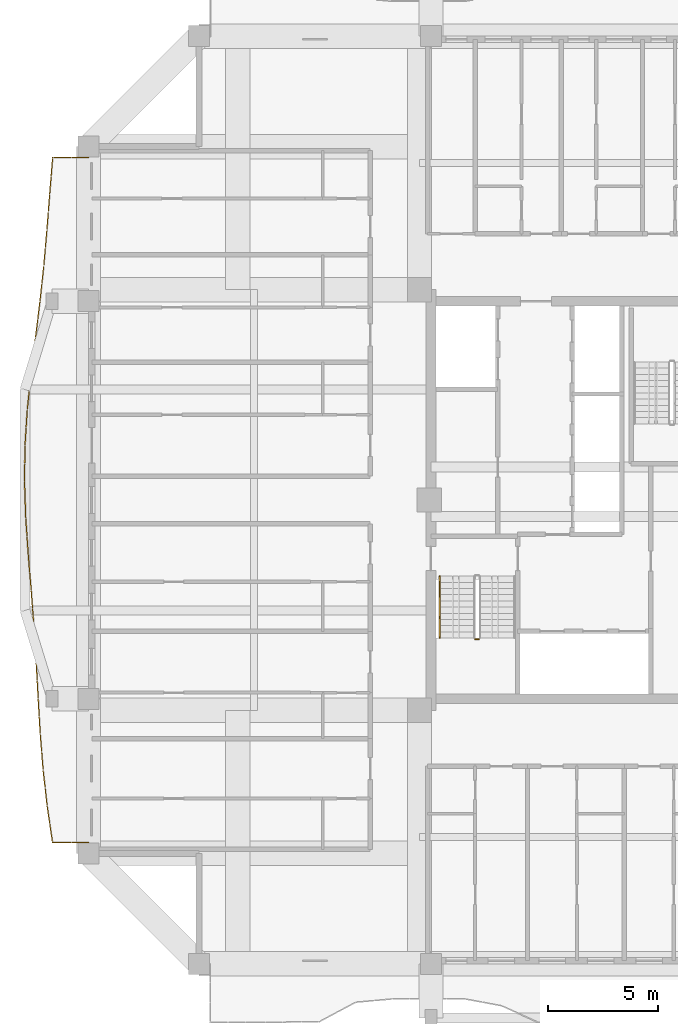
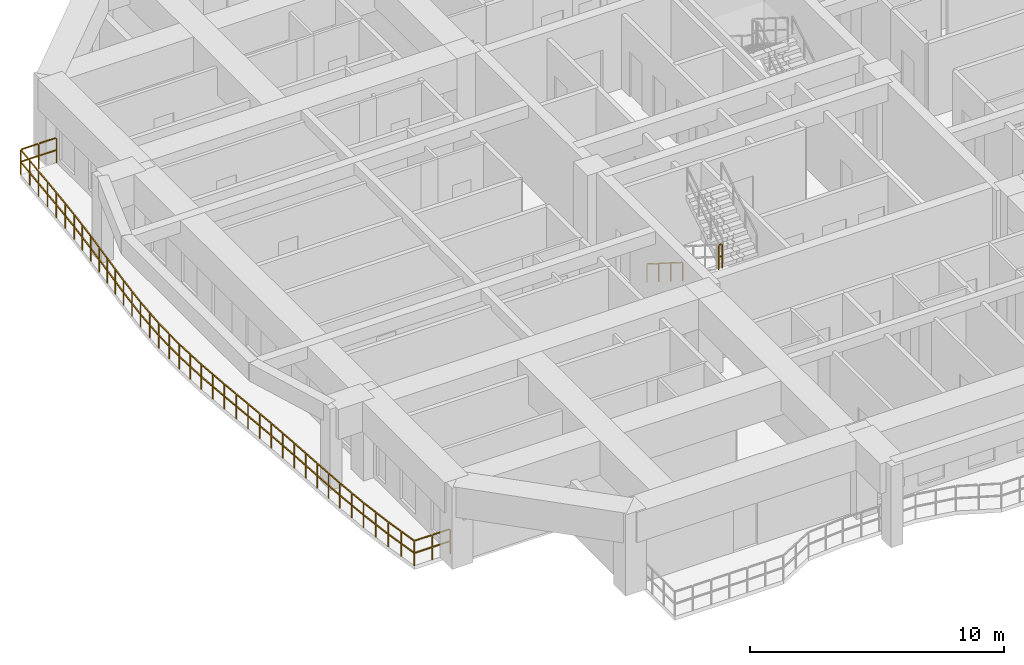
# One storey, part 12 of 15: 3 railings.
"""IFC4 building model written with IfcOpenShell, lengths in metres."""

from ifc_helpers import new_model, si_unit, direction, frame, origin, origin_2d, place, context, subcontext, project, spatial, rectangle, extrude, material, type_object, element, save


model = new_model("IFC4")

# Units and contexts
model_context = context("Model", 3, precision=1e-05, world=origin(), true_north=direction((0.0, 1.0)))
body_context = subcontext(model_context, "Body", "Model", "MODEL_VIEW")
ifc_project = project(units=[si_unit("LENGTHUNIT", "METRE"), si_unit("AREAUNIT", "SQUARE_METRE"), si_unit("VOLUMEUNIT", "CUBIC_METRE"), si_unit("PLANEANGLEUNIT", "RADIAN"), si_unit("MASSUNIT", "GRAM", prefix="KILO")], contexts=[model_context])

# Site, building, storey
site_placement = place(None, origin())
site = spatial("IfcSite", under=ifc_project, at=site_placement, CompositionType="ELEMENT")
building_placement = place(site_placement, origin())
building = spatial("IfcBuilding", under=site, at=building_placement, Name="Saelheon Loggia Tower", CompositionType="ELEMENT")
storey_placement = place(building_placement, frame((0.0, 0.0, 169.0)))
storey = spatial("IfcBuildingStorey", under=building, at=storey_placement, Name="L53", CompositionType="ELEMENT", Elevation=169.0)

# Railings
ifc_material_1 = material(Name="Architectural Precast Concrete and Laminated Glass Guard", Category="concrete")
railing_type_1 = type_object("IfcRailingType", Name="Guard_Loggia_RL_LOG", PredefinedType="BALUSTRADE", material=ifc_material_1)
railing_1_placement = place(storey_placement, frame((16.0, 42.5, 0.0)))
element("IfcRailing", 1, at=railing_1_placement, inside=storey, type_object=railing_type_1, Name="L53 West Loggia Balustrade", PredefinedType="BALUSTRADE", context=body_context, shape_type="SweptSolid", body=[
    extrude(rectangle(XDim=0.048095703125, YDim=0.048095703125, at=origin_2d()), frame((-0.033203125, 0.0, 1.19580078125), z_axis=(-1.0, 0.0, 0.0), x_axis=(0.0, -1.0, 0.0)), (0.0, 0.0, 1.0), 0.747314453125),
    extrude(rectangle(XDim=0.048095703125, YDim=0.048095703125, at=origin_2d()), frame((-0.033203125, 0.0, 0.60986328125), z_axis=(-1.0, 0.0, 0.0), x_axis=(0.0, -1.0, 0.0)), (0.0, 0.0, 1.0), 0.747314453125),
    extrude(rectangle(XDim=0.048095703125, YDim=0.048095703125, at=origin_2d()), frame((-0.84716796875, 0.0, 1.19580078125), z_axis=(-1.0, 0.0, 0.0), x_axis=(0.0, -1.0, 0.0)), (0.0, 0.0, 1.0), 0.747314453125),
    extrude(rectangle(XDim=0.048095703125, YDim=0.048095703125, at=origin_2d()), frame((-0.84716796875, 0.0, 0.60986328125), z_axis=(-1.0, 0.0, 0.0), x_axis=(0.0, -1.0, 0.0)), (0.0, 0.0, 1.0), 0.747314453125),
    extrude(rectangle(XDim=0.048095703125, YDim=0.048095703125, at=origin_2d()), frame((-1.63037109375, -0.033203125, 1.19580078125), z_axis=(-0.081724809709, -0.996654933002, 0.0), x_axis=(0.996654933002, -0.081724809709, 0.0)), (0.0, 0.0, 1.0), 0.751953125),
    extrude(rectangle(XDim=0.048095703125, YDim=0.048095703125, at=origin_2d()), frame((-1.63037109375, -0.033203125, 0.60986328125), z_axis=(-0.081724809709, -0.996654933002, 0.0), x_axis=(0.996654933002, -0.081724809709, 0.0)), (0.0, 0.0, 1.0), 0.751953125),
    extrude(rectangle(XDim=0.048095703125, YDim=0.048095703125, at=origin_2d()), frame((-1.697265625, -0.848876953125, 1.19580078125), z_axis=(-0.081724809709, -0.996654933002, 0.0), x_axis=(0.996654933002, -0.081724809709, 0.0)), (0.0, 0.0, 1.0), 0.751953125),
    extrude(rectangle(XDim=0.048095703125, YDim=0.048095703125, at=origin_2d()), frame((-1.697265625, -0.848876953125, 0.60986328125), z_axis=(-0.081724809709, -0.996654933002, 0.0), x_axis=(0.996654933002, -0.081724809709, 0.0)), (0.0, 0.0, 1.0), 0.751953125),
    extrude(rectangle(XDim=0.048095703125, YDim=0.048095703125, at=origin_2d()), frame((-1.763916015625, -1.664794921875, 1.19580078125), z_axis=(-0.076833402912, -0.997043944968, 0.0), x_axis=(0.997043944968, -0.076833402912, 0.0)), (0.0, 0.0, 1.0), 0.751708984375),
    extrude(rectangle(XDim=0.048095703125, YDim=0.048095703125, at=origin_2d()), frame((-1.763916015625, -1.664794921875, 0.60986328125), z_axis=(-0.076833402912, -0.997043944968, 0.0), x_axis=(0.997043944968, -0.076833402912, 0.0)), (0.0, 0.0, 1.0), 0.751708984375),
    extrude(rectangle(XDim=0.048095703125, YDim=0.048095703125, at=origin_2d()), frame((-1.826904296875, -2.48046875, 1.19580078125), z_axis=(-0.076833402912, -0.997043944968, 0.0), x_axis=(0.997043944968, -0.076833402912, 0.0)), (0.0, 0.0, 1.0), 0.751708984375),
    extrude(rectangle(XDim=0.048095703125, YDim=0.048095703125, at=origin_2d()), frame((-1.826904296875, -2.48046875, 0.60986328125), z_axis=(-0.076833402912, -0.997043944968, 0.0), x_axis=(0.997043944968, -0.076833402912, 0.0)), (0.0, 0.0, 1.0), 0.751708984375),
    extrude(rectangle(XDim=0.048095703125, YDim=0.048095703125, at=origin_2d()), frame((-1.89013671875, -3.29638671875, 1.19580078125), z_axis=(-0.087497932006, -0.996164701189, 0.0), x_axis=(0.996164701189, -0.087497932006, 0.0)), (0.0, 0.0, 1.0), 0.75244140625),
    extrude(rectangle(XDim=0.048095703125, YDim=0.048095703125, at=origin_2d()), frame((-1.89013671875, -3.29638671875, 0.60986328125), z_axis=(-0.087497932006, -0.996164701189, 0.0), x_axis=(0.996164701189, -0.087497932006, 0.0)), (0.0, 0.0, 1.0), 0.75244140625),
    extrude(rectangle(XDim=0.048095703125, YDim=0.048095703125, at=origin_2d()), frame((-1.961669921875, -4.112060546875, 1.19580078125), z_axis=(-0.087497932006, -0.996164701189, 0.0), x_axis=(0.996164701189, -0.087497932006, 0.0)), (0.0, 0.0, 1.0), 0.75244140625),
    extrude(rectangle(XDim=0.048095703125, YDim=0.048095703125, at=origin_2d()), frame((-1.961669921875, -4.112060546875, 0.60986328125), z_axis=(-0.087497932006, -0.996164701189, 0.0), x_axis=(0.996164701189, -0.087497932006, 0.0)), (0.0, 0.0, 1.0), 0.75244140625),
    extrude(rectangle(XDim=0.048095703125, YDim=0.048095703125, at=origin_2d()), frame((-2.033935546875, -4.927734375, 1.19580078125), z_axis=(-0.106380773266, -0.994325465368, 0.0), x_axis=(0.994325465368, -0.106380773266, 0.0)), (0.0, 0.0, 1.0), 0.75390625),
    extrude(rectangle(XDim=0.048095703125, YDim=0.048095703125, at=origin_2d()), frame((-2.033935546875, -4.927734375, 0.60986328125), z_axis=(-0.106380773266, -0.994325465368, 0.0), x_axis=(0.994325465368, -0.106380773266, 0.0)), (0.0, 0.0, 1.0), 0.75390625),
    extrude(rectangle(XDim=0.048095703125, YDim=0.048095703125, at=origin_2d()), frame((-2.121337890625, -5.74365234375, 1.19580078125), z_axis=(-0.106380773266, -0.994325465368, 0.0), x_axis=(0.994325465368, -0.106380773266, 0.0)), (0.0, 0.0, 1.0), 0.75390625),
    extrude(rectangle(XDim=0.048095703125, YDim=0.048095703125, at=origin_2d()), frame((-2.121337890625, -5.74365234375, 0.60986328125), z_axis=(-0.106380773266, -0.994325465368, 0.0), x_axis=(0.994325465368, -0.106380773266, 0.0)), (0.0, 0.0, 1.0), 0.75390625),
    extrude(rectangle(XDim=0.048095703125, YDim=0.048095703125, at=origin_2d()), frame((-2.209228515625, -6.559326171875, 1.19580078125), z_axis=(-0.122078675825, -0.992520426444, 0.0), x_axis=(0.992520426444, -0.122078675825, 0.0)), (0.0, 0.0, 1.0), 0.75537109375),
    extrude(rectangle(XDim=0.048095703125, YDim=0.048095703125, at=origin_2d()), frame((-2.209228515625, -6.559326171875, 0.60986328125), z_axis=(-0.122078675825, -0.992520426444, 0.0), x_axis=(0.992520426444, -0.122078675825, 0.0)), (0.0, 0.0, 1.0), 0.75537109375),
    extrude(rectangle(XDim=0.048095703125, YDim=0.048095703125, at=origin_2d()), frame((-2.3095703125, -7.375244140625, 1.19580078125), z_axis=(-0.122078675825, -0.992520426444, 0.0), x_axis=(0.992520426444, -0.122078675825, 0.0)), (0.0, 0.0, 1.0), 0.75537109375),
    extrude(rectangle(XDim=0.048095703125, YDim=0.048095703125, at=origin_2d()), frame((-2.3095703125, -7.375244140625, 0.60986328125), z_axis=(-0.122078675825, -0.992520426444, 0.0), x_axis=(0.992520426444, -0.122078675825, 0.0)), (0.0, 0.0, 1.0), 0.75537109375),
    extrude(rectangle(XDim=0.048095703125, YDim=0.048095703125, at=origin_2d()), frame((-2.409912109375, -8.19091796875, 1.19580078125), z_axis=(-0.122956337469, -0.992412081283, 0.0), x_axis=(0.992412081283, -0.122956337469, 0.0)), (0.0, 0.0, 1.0), 0.755615234375),
    extrude(rectangle(XDim=0.048095703125, YDim=0.048095703125, at=origin_2d()), frame((-2.409912109375, -8.19091796875, 0.60986328125), z_axis=(-0.122956337469, -0.992412081283, 0.0), x_axis=(0.992412081283, -0.122956337469, 0.0)), (0.0, 0.0, 1.0), 0.755615234375),
    extrude(rectangle(XDim=0.048095703125, YDim=0.048095703125, at=origin_2d()), frame((-2.510986328125, -9.0068359375, 1.19580078125), z_axis=(-0.122956337469, -0.992412081283, 0.0), x_axis=(0.992412081283, -0.122956337469, 0.0)), (0.0, 0.0, 1.0), 0.755615234375),
    extrude(rectangle(XDim=0.048095703125, YDim=0.048095703125, at=origin_2d()), frame((-2.510986328125, -9.0068359375, 0.60986328125), z_axis=(-0.122956337469, -0.992412081283, 0.0), x_axis=(0.992412081283, -0.122956337469, 0.0)), (0.0, 0.0, 1.0), 0.755615234375),
    extrude(rectangle(XDim=0.048095703125, YDim=0.048095703125, at=origin_2d()), frame((-2.611328125, -9.822509765625, 1.19580078125), z_axis=(-0.102995632399, -0.994681808272, 0.0), x_axis=(0.994681808272, -0.102995632399, 0.0)), (0.0, 0.0, 1.0), 0.753662109375),
    extrude(rectangle(XDim=0.048095703125, YDim=0.048095703125, at=origin_2d()), frame((-2.611328125, -9.822509765625, 0.60986328125), z_axis=(-0.102995632399, -0.994681808272, 0.0), x_axis=(0.994681808272, -0.102995632399, 0.0)), (0.0, 0.0, 1.0), 0.753662109375),
    extrude(rectangle(XDim=0.048095703125, YDim=0.048095703125, at=origin_2d()), frame((-2.69580078125, -10.638427734375, 1.19580078125), z_axis=(-0.102995632399, -0.994681808272, 0.0), x_axis=(0.994681808272, -0.102995632399, 0.0)), (0.0, 0.0, 1.0), 0.753662109375),
    extrude(rectangle(XDim=0.048095703125, YDim=0.048095703125, at=origin_2d()), frame((-2.69580078125, -10.638427734375, 0.60986328125), z_axis=(-0.102995632399, -0.994681808272, 0.0), x_axis=(0.994681808272, -0.102995632399, 0.0)), (0.0, 0.0, 1.0), 0.753662109375),
    extrude(rectangle(XDim=0.048095703125, YDim=0.048095703125, at=origin_2d()), frame((-2.779052734375, -11.454345703125, 1.19580078125), z_axis=(-0.063177935338, -0.998002278798, 0.0), x_axis=(0.998002278798, -0.063177935338, 0.0)), (0.0, 0.0, 1.0), 0.750732421875),
    extrude(rectangle(XDim=0.048095703125, YDim=0.048095703125, at=origin_2d()), frame((-2.779052734375, -11.454345703125, 0.60986328125), z_axis=(-0.063177935338, -0.998002278798, 0.0), x_axis=(0.998002278798, -0.063177935338, 0.0)), (0.0, 0.0, 1.0), 0.750732421875),
    extrude(rectangle(XDim=0.048095703125, YDim=0.048095703125, at=origin_2d()), frame((-2.83056640625, -12.27001953125, 1.19580078125), z_axis=(-0.063177935338, -0.998002278798, 0.0), x_axis=(0.998002278798, -0.063177935338, 0.0)), (0.0, 0.0, 1.0), 0.750732421875),
    extrude(rectangle(XDim=0.048095703125, YDim=0.048095703125, at=origin_2d()), frame((-2.83056640625, -12.27001953125, 0.60986328125), z_axis=(-0.063177935338, -0.998002278798, 0.0), x_axis=(0.998002278798, -0.063177935338, 0.0)), (0.0, 0.0, 1.0), 0.750732421875),
    extrude(rectangle(XDim=0.048095703125, YDim=0.048095703125, at=origin_2d()), frame((-2.880615234375, -13.085693359375, 1.19580078125), z_axis=(-0.012867406881, -0.999917211493, 0.0), x_axis=(0.999917211493, -0.012867406881, 0.0)), (0.0, 0.0, 1.0), 0.74951171875),
    extrude(rectangle(XDim=0.048095703125, YDim=0.048095703125, at=origin_2d()), frame((-2.880615234375, -13.085693359375, 0.60986328125), z_axis=(-0.012867406881, -0.999917211493, 0.0), x_axis=(0.999917211493, -0.012867406881, 0.0)), (0.0, 0.0, 1.0), 0.74951171875),
    extrude(rectangle(XDim=0.048095703125, YDim=0.048095703125, at=origin_2d()), frame((-2.89111328125, -13.901611328125, 1.19580078125), z_axis=(-0.012867406881, -0.999917211493, 0.0), x_axis=(0.999917211493, -0.012867406881, 0.0)), (0.0, 0.0, 1.0), 0.74951171875),
    extrude(rectangle(XDim=0.048095703125, YDim=0.048095703125, at=origin_2d()), frame((-2.89111328125, -13.901611328125, 0.60986328125), z_axis=(-0.012867406881, -0.999917211493, 0.0), x_axis=(0.999917211493, -0.012867406881, 0.0)), (0.0, 0.0, 1.0), 0.74951171875),
    extrude(rectangle(XDim=0.048095703125, YDim=0.048095703125, at=origin_2d()), frame((-2.89990234375, -14.71728515625, 1.19580078125), z_axis=(0.034838204812, -0.999392965497, 0.0), x_axis=(0.999392965497, 0.034838204812, 0.0)), (0.0, 0.0, 1.0), 0.75),
    extrude(rectangle(XDim=0.048095703125, YDim=0.048095703125, at=origin_2d()), frame((-2.89990234375, -14.71728515625, 0.60986328125), z_axis=(0.034838204812, -0.999392965497, 0.0), x_axis=(0.999392965497, 0.034838204812, 0.0)), (0.0, 0.0, 1.0), 0.75),
    extrude(rectangle(XDim=0.048095703125, YDim=0.048095703125, at=origin_2d()), frame((-2.87158203125, -15.533203125, 1.19580078125), z_axis=(0.034838204812, -0.999392965497, 0.0), x_axis=(0.999392965497, 0.034838204812, 0.0)), (0.0, 0.0, 1.0), 0.75),
    extrude(rectangle(XDim=0.048095703125, YDim=0.048095703125, at=origin_2d()), frame((-2.87158203125, -15.533203125, 0.60986328125), z_axis=(0.034838204812, -0.999392965497, 0.0), x_axis=(0.999392965497, 0.034838204812, 0.0)), (0.0, 0.0, 1.0), 0.75),
    extrude(rectangle(XDim=0.048095703125, YDim=0.048095703125, at=origin_2d()), frame((-2.842041015625, -16.34912109375, 1.19580078125), z_axis=(0.067925948873, -0.997690365529, 0.0), x_axis=(0.997690365529, 0.067925948873, 0.0)), (0.0, 0.0, 1.0), 0.751220703125),
    extrude(rectangle(XDim=0.048095703125, YDim=0.048095703125, at=origin_2d()), frame((-2.842041015625, -16.34912109375, 0.60986328125), z_axis=(0.067925948873, -0.997690365529, 0.0), x_axis=(0.997690365529, 0.067925948873, 0.0)), (0.0, 0.0, 1.0), 0.751220703125),
    extrude(rectangle(XDim=0.048095703125, YDim=0.048095703125, at=origin_2d()), frame((-2.786376953125, -17.164794921875, 1.19580078125), z_axis=(0.067925948873, -0.997690365529, 0.0), x_axis=(0.997690365529, 0.067925948873, 0.0)), (0.0, 0.0, 1.0), 0.751220703125),
    extrude(rectangle(XDim=0.048095703125, YDim=0.048095703125, at=origin_2d()), frame((-2.786376953125, -17.164794921875, 0.60986328125), z_axis=(0.067925948873, -0.997690365529, 0.0), x_axis=(0.997690365529, 0.067925948873, 0.0)), (0.0, 0.0, 1.0), 0.751220703125),
    extrude(rectangle(XDim=0.048095703125, YDim=0.048095703125, at=origin_2d()), frame((-2.73046875, -17.980712890625, 1.19580078125), z_axis=(0.080847910163, -0.996726449645, 0.0), x_axis=(0.996726449645, 0.080847910163, 0.0)), (0.0, 0.0, 1.0), 0.751953125),
    extrude(rectangle(XDim=0.048095703125, YDim=0.048095703125, at=origin_2d()), frame((-2.73046875, -17.980712890625, 0.60986328125), z_axis=(0.080847910163, -0.996726449645, 0.0), x_axis=(0.996726449645, 0.080847910163, 0.0)), (0.0, 0.0, 1.0), 0.751953125),
    extrude(rectangle(XDim=0.048095703125, YDim=0.048095703125, at=origin_2d()), frame((-2.664306640625, -18.79638671875, 1.19580078125), z_axis=(0.080847910163, -0.996726449645, 0.0), x_axis=(0.996726449645, 0.080847910163, 0.0)), (0.0, 0.0, 1.0), 0.751953125),
    extrude(rectangle(XDim=0.048095703125, YDim=0.048095703125, at=origin_2d()), frame((-2.664306640625, -18.79638671875, 0.60986328125), z_axis=(0.080847910163, -0.996726449645, 0.0), x_axis=(0.996726449645, 0.080847910163, 0.0)), (0.0, 0.0, 1.0), 0.751953125),
    extrude(rectangle(XDim=0.048095703125, YDim=0.048095703125, at=origin_2d()), frame((-2.598388671875, -19.612060546875, 1.19580078125), z_axis=(0.075943449395, -0.99711212634, 0.0), x_axis=(0.99711212634, 0.075943449395, 0.0)), (0.0, 0.0, 1.0), 0.751708984375),
    extrude(rectangle(XDim=0.048095703125, YDim=0.048095703125, at=origin_2d()), frame((-2.598388671875, -19.612060546875, 0.60986328125), z_axis=(0.075943449395, -0.99711212634, 0.0), x_axis=(0.99711212634, 0.075943449395, 0.0)), (0.0, 0.0, 1.0), 0.751708984375),
    extrude(rectangle(XDim=0.048095703125, YDim=0.048095703125, at=origin_2d()), frame((-2.5361328125, -20.427734375, 1.19580078125), z_axis=(0.075943449395, -0.99711212634, 0.0), x_axis=(0.99711212634, 0.075943449395, 0.0)), (0.0, 0.0, 1.0), 0.751708984375),
    extrude(rectangle(XDim=0.048095703125, YDim=0.048095703125, at=origin_2d()), frame((-2.5361328125, -20.427734375, 0.60986328125), z_axis=(0.075943449395, -0.99711212634, 0.0), x_axis=(0.99711212634, 0.075943449395, 0.0)), (0.0, 0.0, 1.0), 0.751708984375),
    extrude(rectangle(XDim=0.048095703125, YDim=0.048095703125, at=origin_2d()), frame((-2.474365234375, -21.24365234375, 1.19580078125), z_axis=(0.063019778754, -0.998012278224, 0.0), x_axis=(0.998012278224, 0.063019778754, 0.0)), (0.0, 0.0, 1.0), 0.7509765625),
    extrude(rectangle(XDim=0.048095703125, YDim=0.048095703125, at=origin_2d()), frame((-2.474365234375, -21.24365234375, 0.60986328125), z_axis=(0.063019778754, -0.998012278224, 0.0), x_axis=(0.998012278224, 0.063019778754, 0.0)), (0.0, 0.0, 1.0), 0.7509765625),
    extrude(rectangle(XDim=0.048095703125, YDim=0.048095703125, at=origin_2d()), frame((-2.4228515625, -22.059326171875, 1.19580078125), z_axis=(0.063019778754, -0.998012278224, 0.0), x_axis=(0.998012278224, 0.063019778754, 0.0)), (0.0, 0.0, 1.0), 0.7509765625),
    extrude(rectangle(XDim=0.048095703125, YDim=0.048095703125, at=origin_2d()), frame((-2.4228515625, -22.059326171875, 0.60986328125), z_axis=(0.063019778754, -0.998012278224, 0.0), x_axis=(0.998012278224, 0.063019778754, 0.0)), (0.0, 0.0, 1.0), 0.7509765625),
    extrude(rectangle(XDim=0.048095703125, YDim=0.048095703125, at=origin_2d()), frame((-2.371826171875, -22.875244140625, 1.19580078125), z_axis=(0.053939019535, -0.998544231455, 0.0), x_axis=(0.998544231455, 0.053939019535, 0.0)), (0.0, 0.0, 1.0), 0.75048828125),
    extrude(rectangle(XDim=0.048095703125, YDim=0.048095703125, at=origin_2d()), frame((-2.371826171875, -22.875244140625, 0.60986328125), z_axis=(0.053939019535, -0.998544231455, 0.0), x_axis=(0.998544231455, 0.053939019535, 0.0)), (0.0, 0.0, 1.0), 0.75048828125),
    extrude(rectangle(XDim=0.048095703125, YDim=0.048095703125, at=origin_2d()), frame((-2.32763671875, -23.69091796875, 1.19580078125), z_axis=(0.053939019535, -0.998544231455, 0.0), x_axis=(0.998544231455, 0.053939019535, 0.0)), (0.0, 0.0, 1.0), 0.75048828125),
    extrude(rectangle(XDim=0.048095703125, YDim=0.048095703125, at=origin_2d()), frame((-2.32763671875, -23.69091796875, 0.60986328125), z_axis=(0.053939019535, -0.998544231455, 0.0), x_axis=(0.998544231455, 0.053939019535, 0.0)), (0.0, 0.0, 1.0), 0.75048828125),
    extrude(rectangle(XDim=0.048095703125, YDim=0.048095703125, at=origin_2d()), frame((-2.283447265625, -24.5068359375, 1.19580078125), z_axis=(0.058406780031, -0.998292866871, 0.0), x_axis=(0.998292866871, 0.058406780031, 0.0)), (0.0, 0.0, 1.0), 0.750732421875),
    extrude(rectangle(XDim=0.048095703125, YDim=0.048095703125, at=origin_2d()), frame((-2.283447265625, -24.5068359375, 0.60986328125), z_axis=(0.058406780031, -0.998292866871, 0.0), x_axis=(0.998292866871, 0.058406780031, 0.0)), (0.0, 0.0, 1.0), 0.750732421875),
    extrude(rectangle(XDim=0.048095703125, YDim=0.048095703125, at=origin_2d()), frame((-2.23583984375, -25.322509765625, 1.19580078125), z_axis=(0.058406780031, -0.998292866871, 0.0), x_axis=(0.998292866871, 0.058406780031, 0.0)), (0.0, 0.0, 1.0), 0.750732421875),
    extrude(rectangle(XDim=0.048095703125, YDim=0.048095703125, at=origin_2d()), frame((-2.23583984375, -25.322509765625, 0.60986328125), z_axis=(0.058406780031, -0.998292866871, 0.0), x_axis=(0.998292866871, 0.058406780031, 0.0)), (0.0, 0.0, 1.0), 0.750732421875),
    extrude(rectangle(XDim=0.048095703125, YDim=0.048095703125, at=origin_2d()), frame((-2.187255859375, -26.138427734375, 1.19580078125), z_axis=(0.079650367873, -0.996822862347, 0.0), x_axis=(0.996822862347, 0.079650367873, 0.0)), (0.0, 0.0, 1.0), 0.751953125),
    extrude(rectangle(XDim=0.048095703125, YDim=0.048095703125, at=origin_2d()), frame((-2.187255859375, -26.138427734375, 0.60986328125), z_axis=(0.079650367873, -0.996822862347, 0.0), x_axis=(0.996822862347, 0.079650367873, 0.0)), (0.0, 0.0, 1.0), 0.751953125),
    extrude(rectangle(XDim=0.048095703125, YDim=0.048095703125, at=origin_2d()), frame((-2.1220703125, -26.9541015625, 1.19580078125), z_axis=(0.079650367873, -0.996822862347, 0.0), x_axis=(0.996822862347, 0.079650367873, 0.0)), (0.0, 0.0, 1.0), 0.751953125),
    extrude(rectangle(XDim=0.048095703125, YDim=0.048095703125, at=origin_2d()), frame((-2.1220703125, -26.9541015625, 0.60986328125), z_axis=(0.079650367873, -0.996822862347, 0.0), x_axis=(0.996822862347, 0.079650367873, 0.0)), (0.0, 0.0, 1.0), 0.751953125),
    extrude(rectangle(XDim=0.048095703125, YDim=0.048095703125, at=origin_2d()), frame((-2.055908203125, -27.769775390625, 1.19580078125), z_axis=(0.112552721228, -0.993645754253, 0.0), x_axis=(0.993645754253, 0.112552721228, 0.0)), (0.0, 0.0, 1.0), 0.754638671875),
    extrude(rectangle(XDim=0.048095703125, YDim=0.048095703125, at=origin_2d()), frame((-2.055908203125, -27.769775390625, 0.60986328125), z_axis=(0.112552721228, -0.993645754253, 0.0), x_axis=(0.993645754253, 0.112552721228, 0.0)), (0.0, 0.0, 1.0), 0.754638671875),
    extrude(rectangle(XDim=0.048095703125, YDim=0.048095703125, at=origin_2d()), frame((-1.96337890625, -28.585693359375, 1.19580078125), z_axis=(0.112552721228, -0.993645754253, 0.0), x_axis=(0.993645754253, 0.112552721228, 0.0)), (0.0, 0.0, 1.0), 0.754638671875),
    extrude(rectangle(XDim=0.048095703125, YDim=0.048095703125, at=origin_2d()), frame((-1.96337890625, -28.585693359375, 0.60986328125), z_axis=(0.112552721228, -0.993645754253, 0.0), x_axis=(0.993645754253, 0.112552721228, 0.0)), (0.0, 0.0, 1.0), 0.754638671875),
    extrude(rectangle(XDim=0.048095703125, YDim=0.048095703125, at=origin_2d()), frame((-1.869873046875, -29.4013671875, 1.19580078125), z_axis=(0.145378914052, -0.989376051534, 0.0), x_axis=(0.989376051534, 0.145378914052, 0.0)), (0.0, 0.0, 1.0), 0.758056640625),
    extrude(rectangle(XDim=0.048095703125, YDim=0.048095703125, at=origin_2d()), frame((-1.869873046875, -29.4013671875, 0.60986328125), z_axis=(0.145378914052, -0.989376051534, 0.0), x_axis=(0.989376051534, 0.145378914052, 0.0)), (0.0, 0.0, 1.0), 0.758056640625),
    extrude(rectangle(XDim=0.048095703125, YDim=0.048095703125, at=origin_2d()), frame((-1.75, -30.217041015625, 1.19580078125), z_axis=(0.145378914052, -0.989376051534, 0.0), x_axis=(0.989376051534, 0.145378914052, 0.0)), (0.0, 0.0, 1.0), 0.758056640625),
    extrude(rectangle(XDim=0.048095703125, YDim=0.048095703125, at=origin_2d()), frame((-1.75, -30.217041015625, 0.60986328125), z_axis=(0.145378914052, -0.989376051534, 0.0), x_axis=(0.989376051534, 0.145378914052, 0.0)), (0.0, 0.0, 1.0), 0.758056640625),
    extrude(rectangle(XDim=0.048095703125, YDim=0.048095703125, at=origin_2d()), frame((-1.601806640625, -31.0, 1.19580078125), z_axis=(1.0, 0.0, 0.0), x_axis=(0.0, 1.0, 0.0)), (0.0, 0.0, 1.0), 0.7509765625),
    extrude(rectangle(XDim=0.048095703125, YDim=0.048095703125, at=origin_2d()), frame((-1.601806640625, -31.0, 0.60986328125), z_axis=(1.0, 0.0, 0.0), x_axis=(0.0, 1.0, 0.0)), (0.0, 0.0, 1.0), 0.7509765625),
    extrude(rectangle(XDim=0.048095703125, YDim=0.048095703125, at=origin_2d()), frame((-0.7841796875, -31.0, 1.19580078125), z_axis=(1.0, 0.0, 0.0), x_axis=(0.0, 1.0, 0.0)), (0.0, 0.0, 1.0), 0.7509765625),
    extrude(rectangle(XDim=0.048095703125, YDim=0.048095703125, at=origin_2d()), frame((-0.7841796875, -31.0, 0.60986328125), z_axis=(1.0, 0.0, 0.0), x_axis=(0.0, 1.0, 0.0)), (0.0, 0.0, 1.0), 0.7509765625),
    extrude(rectangle(XDim=0.0419921875, YDim=0.0419921875, at=origin_2d()), origin(), (0.0, 0.0, 1.0), 1.16796875),
    extrude(rectangle(XDim=0.0419921875, YDim=0.0419921875, at=origin_2d()), frame((-0.81396484375, 0.0, 0.0)), (0.0, 0.0, 1.0), 1.16796875),
    extrude(rectangle(XDim=0.0419921875, YDim=0.0419921875, at=origin_2d()), frame((-1.627685546875, 0.0, 0.0)), (0.0, 0.0, 1.0), 1.16796875),
    extrude(rectangle(XDim=0.0419921875, YDim=0.0419921875, at=origin_2d()), frame((-1.694580078125, -0.81591796875, 0.0)), (0.0, 0.0, 1.0), 1.16796875),
    extrude(rectangle(XDim=0.0419921875, YDim=0.0419921875, at=origin_2d()), frame((-1.761474609375, -1.631591796875, 0.0)), (0.0, 0.0, 1.0), 1.16796875),
    extrude(rectangle(XDim=0.0419921875, YDim=0.0419921875, at=origin_2d()), frame((-1.82421875, -2.447265625, 0.0)), (0.0, 0.0, 1.0), 1.16796875),
    extrude(rectangle(XDim=0.0419921875, YDim=0.0419921875, at=origin_2d()), frame((-1.88720703125, -3.26318359375, 0.0)), (0.0, 0.0, 1.0), 1.16796875),
    extrude(rectangle(XDim=0.0419921875, YDim=0.0419921875, at=origin_2d()), frame((-1.958984375, -4.0791015625, 0.0)), (0.0, 0.0, 1.0), 1.16796875),
    extrude(rectangle(XDim=0.0419921875, YDim=0.0419921875, at=origin_2d()), frame((-2.030517578125, -4.894775390625, 0.0)), (0.0, 0.0, 1.0), 1.16796875),
    extrude(rectangle(XDim=0.0419921875, YDim=0.0419921875, at=origin_2d()), frame((-2.11767578125, -5.71044921875, 0.0)), (0.0, 0.0, 1.0), 1.16796875),
    extrude(rectangle(XDim=0.0419921875, YDim=0.0419921875, at=origin_2d()), frame((-2.205078125, -6.5263671875, 0.0)), (0.0, 0.0, 1.0), 1.16796875),
    extrude(rectangle(XDim=0.0419921875, YDim=0.0419921875, at=origin_2d()), frame((-2.305419921875, -7.34228515625, 0.0)), (0.0, 0.0, 1.0), 1.16796875),
    extrude(rectangle(XDim=0.0419921875, YDim=0.0419921875, at=origin_2d()), frame((-2.40576171875, -8.157958984375, 0.0)), (0.0, 0.0, 1.0), 1.16796875),
    extrude(rectangle(XDim=0.0419921875, YDim=0.0419921875, at=origin_2d()), frame((-2.5068359375, -8.9736328125, 0.0)), (0.0, 0.0, 1.0), 1.16796875),
    extrude(rectangle(XDim=0.0419921875, YDim=0.0419921875, at=origin_2d()), frame((-2.60791015625, -9.78955078125, 0.0)), (0.0, 0.0, 1.0), 1.16796875),
    extrude(rectangle(XDim=0.0419921875, YDim=0.0419921875, at=origin_2d()), frame((-2.6923828125, -10.60546875, 0.0)), (0.0, 0.0, 1.0), 1.16796875),
    extrude(rectangle(XDim=0.0419921875, YDim=0.0419921875, at=origin_2d()), frame((-2.77685546875, -11.421142578125, 0.0)), (0.0, 0.0, 1.0), 1.16796875),
    extrude(rectangle(XDim=0.0419921875, YDim=0.0419921875, at=origin_2d()), frame((-2.82861328125, -12.23681640625, 0.0)), (0.0, 0.0, 1.0), 1.16796875),
    extrude(rectangle(XDim=0.0419921875, YDim=0.0419921875, at=origin_2d()), frame((-2.880126953125, -13.052490234375, 0.0)), (0.0, 0.0, 1.0), 1.16796875),
    extrude(rectangle(XDim=0.0419921875, YDim=0.0419921875, at=origin_2d()), frame((-2.890625, -13.8681640625, 0.0)), (0.0, 0.0, 1.0), 1.16796875),
    extrude(rectangle(XDim=0.0419921875, YDim=0.0419921875, at=origin_2d()), frame((-2.901123046875, -14.68408203125, 0.0)), (0.0, 0.0, 1.0), 1.16796875),
    extrude(rectangle(XDim=0.0419921875, YDim=0.0419921875, at=origin_2d()), frame((-2.87255859375, -15.5, 0.0)), (0.0, 0.0, 1.0), 1.16796875),
    extrude(rectangle(XDim=0.0419921875, YDim=0.0419921875, at=origin_2d()), frame((-2.84423828125, -16.31591796875, 0.0)), (0.0, 0.0, 1.0), 1.16796875),
    extrude(rectangle(XDim=0.0419921875, YDim=0.0419921875, at=origin_2d()), frame((-2.78857421875, -17.1318359375, 0.0)), (0.0, 0.0, 1.0), 1.16796875),
    extrude(rectangle(XDim=0.0419921875, YDim=0.0419921875, at=origin_2d()), frame((-2.733154296875, -17.947509765625, 0.0)), (0.0, 0.0, 1.0), 1.16796875),
    extrude(rectangle(XDim=0.0419921875, YDim=0.0419921875, at=origin_2d()), frame((-2.6669921875, -18.76318359375, 0.0)), (0.0, 0.0, 1.0), 1.16796875),
    extrude(rectangle(XDim=0.0419921875, YDim=0.0419921875, at=origin_2d()), frame((-2.600830078125, -19.578857421875, 0.0)), (0.0, 0.0, 1.0), 1.16796875),
    extrude(rectangle(XDim=0.0419921875, YDim=0.0419921875, at=origin_2d()), frame((-2.53857421875, -20.39453125, 0.0)), (0.0, 0.0, 1.0), 1.16796875),
    extrude(rectangle(XDim=0.0419921875, YDim=0.0419921875, at=origin_2d()), frame((-2.4765625, -21.21044921875, 0.0)), (0.0, 0.0, 1.0), 1.16796875),
    extrude(rectangle(XDim=0.0419921875, YDim=0.0419921875, at=origin_2d()), frame((-2.425048828125, -22.0263671875, 0.0)), (0.0, 0.0, 1.0), 1.16796875),
    extrude(rectangle(XDim=0.0419921875, YDim=0.0419921875, at=origin_2d()), frame((-2.37353515625, -22.842041015625, 0.0)), (0.0, 0.0, 1.0), 1.16796875),
    extrude(rectangle(XDim=0.0419921875, YDim=0.0419921875, at=origin_2d()), frame((-2.32958984375, -23.65771484375, 0.0)), (0.0, 0.0, 1.0), 1.16796875),
    extrude(rectangle(XDim=0.0419921875, YDim=0.0419921875, at=origin_2d()), frame((-2.285400390625, -24.4736328125, 0.0)), (0.0, 0.0, 1.0), 1.16796875),
    extrude(rectangle(XDim=0.0419921875, YDim=0.0419921875, at=origin_2d()), frame((-2.23779296875, -25.28955078125, 0.0)), (0.0, 0.0, 1.0), 1.16796875),
    extrude(rectangle(XDim=0.0419921875, YDim=0.0419921875, at=origin_2d()), frame((-2.18994140625, -26.105224609375, 0.0)), (0.0, 0.0, 1.0), 1.16796875),
    extrude(rectangle(XDim=0.0419921875, YDim=0.0419921875, at=origin_2d()), frame((-2.124755859375, -26.9208984375, 0.0)), (0.0, 0.0, 1.0), 1.16796875),
    extrude(rectangle(XDim=0.0419921875, YDim=0.0419921875, at=origin_2d()), frame((-2.0595703125, -27.73681640625, 0.0)), (0.0, 0.0, 1.0), 1.16796875),
    extrude(rectangle(XDim=0.0419921875, YDim=0.0419921875, at=origin_2d()), frame((-1.96728515625, -28.552734375, 0.0)), (0.0, 0.0, 1.0), 1.16796875),
    extrude(rectangle(XDim=0.0419921875, YDim=0.0419921875, at=origin_2d()), frame((-1.874755859375, -29.368408203125, 0.0)), (0.0, 0.0, 1.0), 1.16796875),
    extrude(rectangle(XDim=0.0419921875, YDim=0.0419921875, at=origin_2d()), frame((-1.7548828125, -30.18408203125, 0.0)), (0.0, 0.0, 1.0), 1.16796875),
    extrude(rectangle(XDim=0.0419921875, YDim=0.0419921875, at=origin_2d()), frame((-1.635009765625, -31.0, 0.0)), (0.0, 0.0, 1.0), 1.16796875),
    extrude(rectangle(XDim=0.0419921875, YDim=0.0419921875, at=origin_2d()), frame((-0.8173828125, -31.0, 0.0)), (0.0, 0.0, 1.0), 1.16796875),
    extrude(rectangle(XDim=0.0419921875, YDim=0.0419921875, at=origin_2d()), frame((0.0, -31.0, 0.0)), (0.0, 0.0, 1.0), 1.16796875),
])
ifc_material_2 = material(Name="Galvanised Steel S275 Stairwell Guardrail", Category="steel")
railing_type_2 = type_object("IfcRailingType", Name="Guard_StairWell_RL_STG", PredefinedType="GUARDRAIL", material=ifc_material_2)
railing_2_placement = place(storey_placement, frame((33.510009765625, 20.699951171875, 1.949951171875)))
element("IfcRailing", 2, at=railing_2_placement, inside=storey, type_object=railing_type_2, Name="L53 ST1 stair guard 2", PredefinedType="GUARDRAIL", context=body_context, shape_type="SweptSolid", body=[
    extrude(rectangle(XDim=0.048095703125, YDim=0.048095703125, at=origin_2d()), frame((0.033203125, 0.0, 1.17578125), z_axis=(1.0, 0.0, 0.0), x_axis=(0.0, 1.0, 0.0)), (0.0, 0.0, 1.0), 0.093505859375),
    extrude(rectangle(XDim=0.048095703125, YDim=0.048095703125, at=origin_2d()), frame((0.033203125, 0.0, 0.60009765625), z_axis=(1.0, 0.0, 0.0), x_axis=(0.0, 1.0, 0.0)), (0.0, 0.0, 1.0), 0.093505859375),
    extrude(rectangle(XDim=0.0419921875, YDim=0.0419921875, at=origin_2d()), origin(), (0.0, 0.0, 1.0), 1.14794921875),
    extrude(rectangle(XDim=0.0419921875, YDim=0.0419921875, at=origin_2d()), frame((0.159912109375, 0.0, 0.0)), (0.0, 0.0, 1.0), 1.14794921875),
])
ifc_material_3 = material(Name="Stainless Steel 304 Tubular Handrail", Category="steel")
railing_type_3 = type_object("IfcRailingType", Name="Handrail_Stair_RL_HR1", PredefinedType="HANDRAIL", material=ifc_material_3)
railing_3_placement = place(storey_placement, frame((31.89990234375, 23.550048828125, 0.17724609375)))
element("IfcRailing", 3, at=railing_3_placement, inside=storey, type_object=railing_type_3, Name="L53 ST1 stair handrail 1", PredefinedType="HANDRAIL", context=body_context, shape_type="SweptSolid", body=[
    extrude(rectangle(XDim=0.048095703125, YDim=0.048095703125, at=origin_2d()), frame((0.0, -0.028076171875, 0.8935546875), z_axis=(0.0, -0.844908973607, 0.534910110503), x_axis=(1.0, 0.0, 0.0)), (0.0, 0.0, 1.0), 1.0380859375),
    extrude(rectangle(XDim=0.048095703125, YDim=0.048095703125, at=origin_2d()), frame((0.0, -0.96142578125, 1.484619140625), z_axis=(0.0, -0.844908973607, 0.534910110503), x_axis=(1.0, 0.0, 0.0)), (0.0, 0.0, 1.0), 1.0380859375),
    extrude(rectangle(XDim=0.048095703125, YDim=0.048095703125, at=origin_2d()), frame((0.0, -1.894775390625, 2.075439453125), z_axis=(0.0, -0.844908973607, 0.534910110503), x_axis=(1.0, 0.0, 0.0)), (0.0, 0.0, 1.0), 1.0380859375),
    extrude(rectangle(XDim=0.0419921875, YDim=0.0419921875, at=origin_2d()), origin(), (0.0, 0.0, 1.0), 0.847900390625),
    extrude(rectangle(XDim=0.0419921875, YDim=0.0419921875, at=origin_2d()), frame((0.0, -0.933349609375, 0.5908203125)), (0.0, 0.0, 1.0), 0.847900390625),
    extrude(rectangle(XDim=0.0419921875, YDim=0.0419921875, at=origin_2d()), frame((0.0, -1.86669921875, 1.181884765625)), (0.0, 0.0, 1.0), 0.847900390625),
    extrude(rectangle(XDim=0.0419921875, YDim=0.0419921875, at=origin_2d()), frame((0.0, -2.800048828125, 1.772705078125)), (0.0, 0.0, 1.0), 0.847900390625),
])

save(model, "model.ifc")
